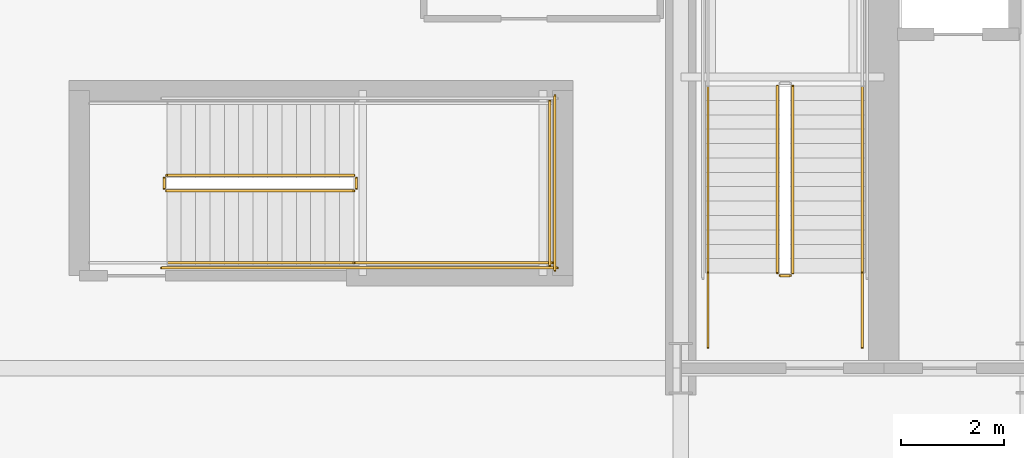
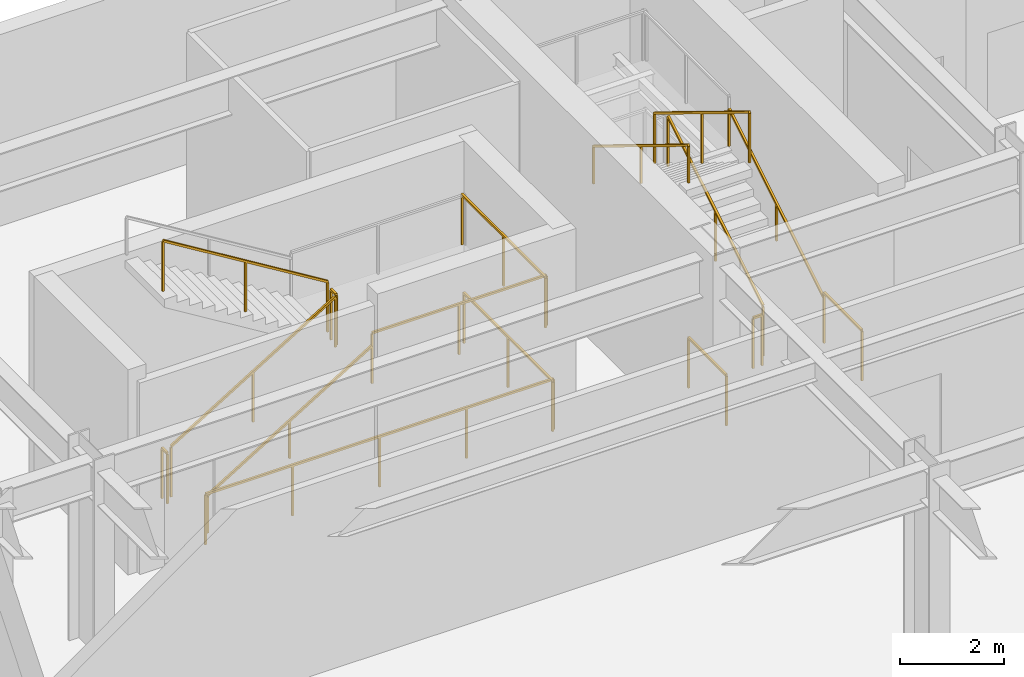
# One storey, part 18 of 28: 16 railings.
"""IFC4 building model written with IfcOpenShell, lengths in metres."""

from ifc_helpers import new_model, si_unit, direction, frame, origin, origin_2d, place, context, subcontext, project, spatial, rectangle, extrude, material, type_object, element, save


model = new_model("IFC4")

# Units and contexts
model_context = context("Model", 3, precision=1e-05, world=origin(), true_north=direction((0.0, 1.0)))
body_context = subcontext(model_context, "Body", "Model", "MODEL_VIEW")
ifc_project = project(units=[si_unit("LENGTHUNIT", "METRE"), si_unit("AREAUNIT", "SQUARE_METRE"), si_unit("VOLUMEUNIT", "CUBIC_METRE"), si_unit("PLANEANGLEUNIT", "RADIAN"), si_unit("MASSUNIT", "GRAM", prefix="KILO")], contexts=[model_context])

# Site, building, storey
site_placement = place(None, origin())
site = spatial("IfcSite", under=ifc_project, at=site_placement, CompositionType="ELEMENT")
building_placement = place(site_placement, origin())
building = spatial("IfcBuilding", under=site, at=building_placement, Name="Haevon Station Towers", CompositionType="ELEMENT")
storey_placement = place(building_placement, frame((0.0, 0.0, 10.800048828125)))
storey = spatial("IfcBuildingStorey", under=building, at=storey_placement, Name="L02", CompositionType="ELEMENT", Elevation=10.800048828125)

# Railings
ifc_material = material(Name="Steel S355", Category="steel")
railing_type_1 = type_object("IfcRailingType", Name="GRD-STR1200", PredefinedType="GUARDRAIL", material=ifc_material)
railing_1_placement = place(storey_placement, frame((26.179931640625, 40.050048828125, 0.17138671875)))
element("IfcRailing", 1, at=railing_1_placement, inside=storey, type_object=railing_type_1, Name="L02 ST1 Stair Guard 1", PredefinedType="GUARDRAIL", context=body_context, shape_type="SweptSolid", body=[
    extrude(rectangle(XDim=0.048095703125, YDim=0.048095703125, at=origin_2d()), frame((0.0, 0.0, 1.17578125), z_axis=(0.0, 0.852850264322, 0.5221555579), x_axis=(-1.0, 0.0, 0.0)), (0.0, 0.0, 1.0), 4.267822265625),
    extrude(rectangle(XDim=0.0419921875, YDim=0.0419921875, at=origin_2d()), origin(), (0.0, 0.0, 1.0), 1.15185546875),
    extrude(rectangle(XDim=0.0419921875, YDim=0.0419921875, at=origin_2d()), frame((0.0, 1.81982421875, 1.1142578125)), (0.0, 0.0, 1.0), 1.15185546875),
    extrude(rectangle(XDim=0.0419921875, YDim=0.0419921875, at=origin_2d()), frame((0.0, 3.639892578125, 2.228515625)), (0.0, 0.0, 1.0), 1.15185546875),
])
railing_2_placement = place(storey_placement, frame((25.8798828125, 43.68994140625, 2.5712890625)))
element("IfcRailing", 2, at=railing_2_placement, inside=storey, type_object=railing_type_1, Name="L02 ST1 Stair Guard 6", PredefinedType="GUARDRAIL", context=body_context, shape_type="SweptSolid", body=[
    extrude(rectangle(XDim=0.048095703125, YDim=0.048095703125, at=origin_2d()), frame((0.0, 0.0, 1.17578125), z_axis=(0.0, -0.852824790078, 0.522197163366), x_axis=(1.0, 0.0, 0.0)), (0.0, 0.0, 1.0), 4.26806640625),
    extrude(rectangle(XDim=0.0419921875, YDim=0.0419921875, at=origin_2d()), origin(), (0.0, 0.0, 1.0), 1.15185546875),
    extrude(rectangle(XDim=0.0419921875, YDim=0.0419921875, at=origin_2d()), frame((0.0, -1.81982421875, 1.1142578125)), (0.0, 0.0, 1.0), 1.15185546875),
    extrude(rectangle(XDim=0.0419921875, YDim=0.0419921875, at=origin_2d()), frame((0.0, -3.639892578125, 2.228759765625)), (0.0, 0.0, 1.0), 1.15185546875),
])
railing_3_placement = place(storey_placement, frame((26.1298828125, 40.0, 0.0)))
element("IfcRailing", 3, at=railing_3_placement, inside=storey, type_object=railing_type_1, Name="L02 ST1 Stair Guard 7", PredefinedType="GUARDRAIL", context=body_context, shape_type="SweptSolid", body=[
    extrude(rectangle(XDim=0.048095703125, YDim=0.048095703125, at=origin_2d()), frame((0.0, 0.0, 1.17578125), z_axis=(-1.0, 0.0, 0.0), x_axis=(0.0, -1.0, 0.0)), (0.0, 0.0, 1.0), 0.199951171875),
    extrude(rectangle(XDim=0.0419921875, YDim=0.0419921875, at=origin_2d()), origin(), (0.0, 0.0, 1.0), 1.15185546875),
    extrude(rectangle(XDim=0.0419921875, YDim=0.0419921875, at=origin_2d()), frame((-0.199951171875, 0.0, 0.0)), (0.0, 0.0, 1.0), 1.15185546875),
])
for number, where, name in (
    (4, (27.530029296875, 38.60009765625, 0.0), "L02 ST1 Stair Guard 8"),
    (5, (24.530029296875, 38.60009765625, 0.0), "L02 ST1 Stair Guard 9"),
):
    element("IfcRailing", number, at=place(storey_placement, frame(where)), inside=storey, type_object=railing_type_1, Name=name, PredefinedType="GUARDRAIL", context=body_context, shape_type="SweptSolid", body=[
        extrude(rectangle(XDim=0.048095703125, YDim=0.048095703125, at=origin_2d()), frame((0.0, 0.0, 1.17578125), z_axis=(0.0, 1.0, 0.0), x_axis=(-1.0, 0.0, 0.0)), (0.0, 0.0, 1.0), 1.449951171875),
        extrude(rectangle(XDim=0.0419921875, YDim=0.0419921875, at=origin_2d()), origin(), (0.0, 0.0, 1.0), 1.15185546875),
        extrude(rectangle(XDim=0.0419921875, YDim=0.0419921875, at=origin_2d()), frame((0.0, 1.449951171875, 0.0)), (0.0, 0.0, 1.0), 1.15185546875),
    ])
railing_4_placement = place(storey_placement, frame((14.0, 41.64990234375, 0.17138671875)))
element("IfcRailing", 6, at=railing_4_placement, inside=storey, type_object=railing_type_1, Name="L02 ST5 Stair Guard 1", PredefinedType="GUARDRAIL", context=body_context, shape_type="SweptSolid", body=[
    extrude(rectangle(XDim=0.048095703125, YDim=0.048095703125, at=origin_2d()), frame((0.0, 0.0, 1.17578125), z_axis=(0.852850264322, 0.0, 0.5221555579), x_axis=(0.0, 1.0, 0.0)), (0.0, 0.0, 1.0), 4.267822265625),
    extrude(rectangle(XDim=0.0419921875, YDim=0.0419921875, at=origin_2d()), origin(), (0.0, 0.0, 1.0), 1.15185546875),
    extrude(rectangle(XDim=0.0419921875, YDim=0.0419921875, at=origin_2d()), frame((1.81982421875, 0.0, 1.1142578125)), (0.0, 0.0, 1.0), 1.15185546875),
    extrude(rectangle(XDim=0.0419921875, YDim=0.0419921875, at=origin_2d()), frame((3.639892578125, 0.0, 2.228515625)), (0.0, 0.0, 1.0), 1.15185546875),
])
railing_5_placement = place(storey_placement, frame((17.68994140625, 41.699951171875, 2.39990234375)))
element("IfcRailing", 7, at=railing_5_placement, inside=storey, type_object=railing_type_1, Name="L02 ST5 Stair Guard 2", PredefinedType="GUARDRAIL", context=body_context, shape_type="SweptSolid", body=[
    extrude(rectangle(XDim=0.048095703125, YDim=0.048095703125, at=origin_2d()), frame((0.0, 0.0, 1.17578125), z_axis=(0.0, 1.0, 0.0), x_axis=(-1.0, 0.0, 0.0)), (0.0, 0.0, 1.0), 0.199951171875),
    extrude(rectangle(XDim=0.0419921875, YDim=0.0419921875, at=origin_2d()), origin(), (0.0, 0.0, 1.0), 1.15185546875),
    extrude(rectangle(XDim=0.0419921875, YDim=0.0419921875, at=origin_2d()), frame((0.0, 0.199951171875, 0.0)), (0.0, 0.0, 1.0), 1.15185546875),
])
railing_6_placement = place(storey_placement, frame((17.639892578125, 40.25, 2.39990234375)))
element("IfcRailing", 8, at=railing_6_placement, inside=storey, type_object=railing_type_1, Name="L02 ST5 Stair Guard 3", PredefinedType="GUARDRAIL", context=body_context, shape_type="SweptSolid", body=[
    extrude(rectangle(XDim=0.048095703125, YDim=0.048095703125, at=origin_2d()), frame((0.0, 0.0, 1.17578125), z_axis=(1.0, 0.0, 0.0), x_axis=(0.0, 1.0, 0.0)), (0.0, 0.0, 1.0), 3.860107421875),
    extrude(rectangle(XDim=0.0419921875, YDim=0.0419921875, at=origin_2d()), origin(), (0.0, 0.0, 1.0), 1.15185546875),
    extrude(rectangle(XDim=0.0419921875, YDim=0.0419921875, at=origin_2d()), frame((1.93017578125, 0.0, 0.0)), (0.0, 0.0, 1.0), 1.15185546875),
    extrude(rectangle(XDim=0.0419921875, YDim=0.0419921875, at=origin_2d()), frame((3.860107421875, 0.0, 0.0)), (0.0, 0.0, 1.0), 1.15185546875),
])
railing_7_placement = place(storey_placement, frame((21.449951171875, 40.199951171875, 2.39990234375)))
element("IfcRailing", 9, at=railing_7_placement, inside=storey, type_object=railing_type_1, Name="L02 ST5 Stair Guard 5", PredefinedType="GUARDRAIL", context=body_context, shape_type="SweptSolid", body=[
    extrude(rectangle(XDim=0.048095703125, YDim=0.048095703125, at=origin_2d()), frame((0.0, 0.0, 1.17578125), z_axis=(0.0, 1.0, 0.0), x_axis=(-1.0, 0.0, 0.0)), (0.0, 0.0, 1.0), 3.199951171875),
    extrude(rectangle(XDim=0.0419921875, YDim=0.0419921875, at=origin_2d()), origin(), (0.0, 0.0, 1.0), 1.15185546875),
    extrude(rectangle(XDim=0.0419921875, YDim=0.0419921875, at=origin_2d()), frame((0.0, 1.60009765625, 0.0)), (0.0, 0.0, 1.0), 1.15185546875),
    extrude(rectangle(XDim=0.0419921875, YDim=0.0419921875, at=origin_2d()), frame((0.0, 3.199951171875, 0.0)), (0.0, 0.0, 1.0), 1.15185546875),
])
railing_8_placement = place(storey_placement, frame((17.639892578125, 41.949951171875, 2.5712890625)))
element("IfcRailing", 10, at=railing_8_placement, inside=storey, type_object=railing_type_1, Name="L02 ST5 Stair Guard 6", PredefinedType="GUARDRAIL", context=body_context, shape_type="SweptSolid", body=[
    extrude(rectangle(XDim=0.048095703125, YDim=0.048095703125, at=origin_2d()), frame((0.0, 0.0, 1.17578125), z_axis=(-0.852824790078, 0.0, 0.522197163366), x_axis=(0.0, -1.0, 0.0)), (0.0, 0.0, 1.0), 4.26806640625),
    extrude(rectangle(XDim=0.0419921875, YDim=0.0419921875, at=origin_2d()), origin(), (0.0, 0.0, 1.0), 1.15185546875),
    extrude(rectangle(XDim=0.0419921875, YDim=0.0419921875, at=origin_2d()), frame((-1.81982421875, 0.0, 1.1142578125)), (0.0, 0.0, 1.0), 1.15185546875),
    extrude(rectangle(XDim=0.0419921875, YDim=0.0419921875, at=origin_2d()), frame((-3.639892578125, 0.0, 2.228759765625)), (0.0, 0.0, 1.0), 1.15185546875),
])
railing_9_placement = place(storey_placement, frame((13.949951171875, 41.699951171875, 0.0)))
element("IfcRailing", 11, at=railing_9_placement, inside=storey, type_object=railing_type_1, Name="L02 ST5 Stair Guard 7", PredefinedType="GUARDRAIL", context=body_context, shape_type="SweptSolid", body=[
    extrude(rectangle(XDim=0.048095703125, YDim=0.048095703125, at=origin_2d()), frame((0.0, 0.0, 1.17578125), z_axis=(0.0, 1.0, 0.0), x_axis=(-1.0, 0.0, 0.0)), (0.0, 0.0, 1.0), 0.199951171875),
    extrude(rectangle(XDim=0.0419921875, YDim=0.0419921875, at=origin_2d()), origin(), (0.0, 0.0, 1.0), 1.15185546875),
    extrude(rectangle(XDim=0.0419921875, YDim=0.0419921875, at=origin_2d()), frame((0.0, 0.199951171875, 0.0)), (0.0, 0.0, 1.0), 1.15185546875),
])
railing_10_placement = place(storey_placement, frame((13.89990234375, 40.14990234375, 0.0)))
element("IfcRailing", 12, at=railing_10_placement, inside=storey, type_object=railing_type_1, Name="L02 ST5 Stair Guard 10", PredefinedType="GUARDRAIL", context=body_context, shape_type="SweptSolid", body=[
    extrude(rectangle(XDim=0.048095703125, YDim=0.048095703125, at=origin_2d()), frame((0.0, 0.0, 1.17578125), z_axis=(1.0, 0.0, 0.0), x_axis=(0.0, 1.0, 0.0)), (0.0, 0.0, 1.0), 7.7001953125),
    extrude(rectangle(XDim=0.0419921875, YDim=0.0419921875, at=origin_2d()), origin(), (0.0, 0.0, 1.0), 1.15185546875),
    extrude(rectangle(XDim=0.0419921875, YDim=0.0419921875, at=origin_2d()), frame((1.925048828125, 0.0, 0.0)), (0.0, 0.0, 1.0), 1.15185546875),
    extrude(rectangle(XDim=0.0419921875, YDim=0.0419921875, at=origin_2d()), frame((3.85009765625, 0.0, 0.0)), (0.0, 0.0, 1.0), 1.15185546875),
    extrude(rectangle(XDim=0.0419921875, YDim=0.0419921875, at=origin_2d()), frame((5.775146484375, 0.0, 0.0)), (0.0, 0.0, 1.0), 1.15185546875),
    extrude(rectangle(XDim=0.0419921875, YDim=0.0419921875, at=origin_2d()), frame((7.7001953125, 0.0, 0.0)), (0.0, 0.0, 1.0), 1.15185546875),
])
railing_11_placement = place(storey_placement, frame((21.550048828125, 40.10009765625, 0.0)))
element("IfcRailing", 13, at=railing_11_placement, inside=storey, type_object=railing_type_1, Name="L02 ST5 Stair Guard 12", PredefinedType="GUARDRAIL", context=body_context, shape_type="SweptSolid", body=[
    extrude(rectangle(XDim=0.048095703125, YDim=0.048095703125, at=origin_2d()), frame((0.0, 0.0, 1.17578125), z_axis=(0.0, 1.0, 0.0), x_axis=(-1.0, 0.0, 0.0)), (0.0, 0.0, 1.0), 3.39990234375),
    extrude(rectangle(XDim=0.0419921875, YDim=0.0419921875, at=origin_2d()), origin(), (0.0, 0.0, 1.0), 1.15185546875),
    extrude(rectangle(XDim=0.0419921875, YDim=0.0419921875, at=origin_2d()), frame((0.0, 1.699951171875, 0.0)), (0.0, 0.0, 1.0), 1.15185546875),
    extrude(rectangle(XDim=0.0419921875, YDim=0.0419921875, at=origin_2d()), frame((0.0, 3.39990234375, 0.0)), (0.0, 0.0, 1.0), 1.15185546875),
])
railing_type_2 = type_object("IfcRailingType", Name="HND-STR900", PredefinedType="HANDRAIL", material=ifc_material)
railing_12_placement = place(storey_placement, frame((27.530029296875, 40.050048828125, 0.17138671875)))
element("IfcRailing", 14, at=railing_12_placement, inside=storey, type_object=railing_type_2, Name="L02 ST1 Stair Handrail 1", PredefinedType="HANDRAIL", context=body_context, shape_type="SweptSolid", body=[
    extrude(rectangle(XDim=0.048095703125, YDim=0.048095703125, at=origin_2d()), frame((0.0, 0.0, 0.8759765625), z_axis=(0.0, 0.852850264322, 0.5221555579), x_axis=(-1.0, 0.0, 0.0)), (0.0, 0.0, 1.0), 4.267822265625),
    extrude(rectangle(XDim=0.0419921875, YDim=0.0419921875, at=origin_2d()), origin(), (0.0, 0.0, 1.0), 0.851806640625),
    extrude(rectangle(XDim=0.0419921875, YDim=0.0419921875, at=origin_2d()), frame((0.0, 1.81982421875, 1.1142578125)), (0.0, 0.0, 1.0), 0.851806640625),
    extrude(rectangle(XDim=0.0419921875, YDim=0.0419921875, at=origin_2d()), frame((0.0, 3.639892578125, 2.228515625)), (0.0, 0.0, 1.0), 0.851806640625),
])
railing_13_placement = place(storey_placement, frame((24.530029296875, 43.68994140625, 2.5712890625)))
element("IfcRailing", 15, at=railing_13_placement, inside=storey, type_object=railing_type_2, Name="L02 ST1 Stair Handrail 2", PredefinedType="HANDRAIL", context=body_context, shape_type="SweptSolid", body=[
    extrude(rectangle(XDim=0.048095703125, YDim=0.048095703125, at=origin_2d()), frame((0.0, 0.0, 0.8759765625), z_axis=(0.0, -0.852824790078, 0.522197163366), x_axis=(1.0, 0.0, 0.0)), (0.0, 0.0, 1.0), 4.26806640625),
    extrude(rectangle(XDim=0.0419921875, YDim=0.0419921875, at=origin_2d()), origin(), (0.0, 0.0, 1.0), 0.851806640625),
    extrude(rectangle(XDim=0.0419921875, YDim=0.0419921875, at=origin_2d()), frame((0.0, -1.81982421875, 1.1142578125)), (0.0, 0.0, 1.0), 0.851806640625),
    extrude(rectangle(XDim=0.0419921875, YDim=0.0419921875, at=origin_2d()), frame((0.0, -3.639892578125, 2.228759765625)), (0.0, 0.0, 1.0), 0.851806640625),
])
railing_14_placement = place(storey_placement, frame((14.0, 40.25, 0.17138671875)))
element("IfcRailing", 16, at=railing_14_placement, inside=storey, type_object=railing_type_2, Name="L02 ST5 Stair Handrail 1", PredefinedType="HANDRAIL", context=body_context, shape_type="SweptSolid", body=[
    extrude(rectangle(XDim=0.048095703125, YDim=0.048095703125, at=origin_2d()), frame((0.0, 0.0, 0.8759765625), z_axis=(0.852850264322, 0.0, 0.5221555579), x_axis=(0.0, 1.0, 0.0)), (0.0, 0.0, 1.0), 4.267822265625),
    extrude(rectangle(XDim=0.0419921875, YDim=0.0419921875, at=origin_2d()), origin(), (0.0, 0.0, 1.0), 0.851806640625),
    extrude(rectangle(XDim=0.0419921875, YDim=0.0419921875, at=origin_2d()), frame((1.81982421875, 0.0, 1.1142578125)), (0.0, 0.0, 1.0), 0.851806640625),
    extrude(rectangle(XDim=0.0419921875, YDim=0.0419921875, at=origin_2d()), frame((3.639892578125, 0.0, 2.228515625)), (0.0, 0.0, 1.0), 0.851806640625),
])

save(model, "model.ifc")
